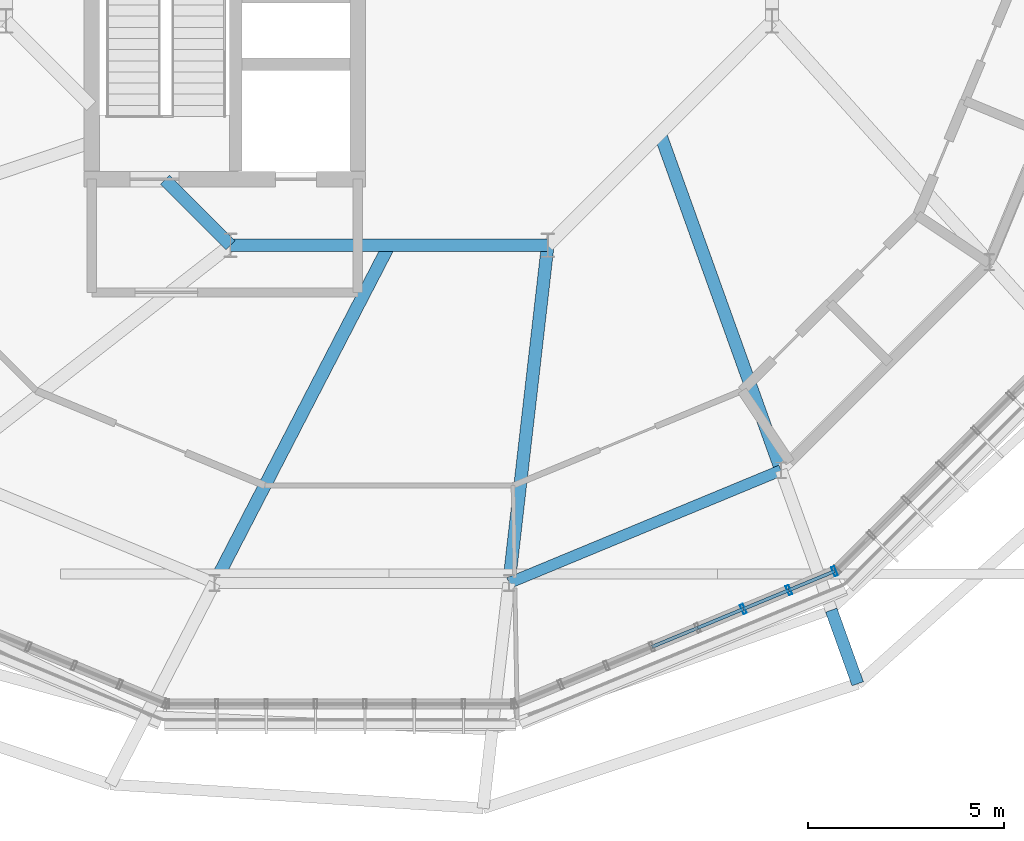
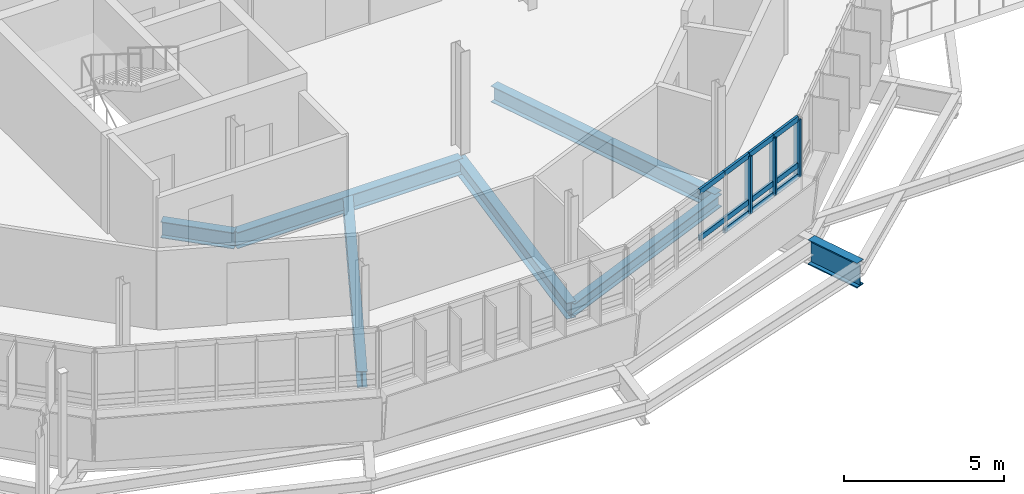
# One storey, part 17 of 61: 14 members, 7 beams, 1 element without a shape of its own.
"""IFC4 building model written with IfcOpenShell, lengths in metres."""

import ifcopenshell
import ifcopenshell.guid

model = None  # the IFC model being written
_history = None  # IfcOwnerHistory: only IFC2X3 demands one
_inside = {}  # id of a spatial element -> (the spatial element, [elements in it])
_under = {}  # id of a project, library or spatial element -> (it, [spatial elements below it])
_declared = {}  # id of a project -> (the project, [libraries it declares])
_typed = {}  # id of a type object -> (the type object, [elements of that type])
_made_of = {}  # id of a material, layer set ... -> (it, [elements and type objects made of it])


def new_model(schema):
    """Start an empty IFC model of exactly this schema.

    Asked for "IFC4X3", IfcOpenShell would pick the latest addendum, in which some entities
    have other attributes; the version numbers below select the first issue.
    IFC2X3 requires an IfcOwnerHistory on every rooted entity: one is made here for all.
    """
    global model, _history
    if schema == "IFC4X3":
        model = ifcopenshell.file(schema_version=(4, 3, 0, 0))
    else:
        model = ifcopenshell.file(schema=schema)
    _inside.clear()
    _under.clear()
    _declared.clear()
    _typed.clear()
    _made_of.clear()
    _history = None
    if model.schema == "IFC2X3":
        org = make("IfcOrganization", Name="unknown")
        user = make(
            "IfcPersonAndOrganization",
            ThePerson=make("IfcPerson", FamilyName="unknown"),
            TheOrganization=org,
        )
        app = make(
            "IfcApplication",
            ApplicationDeveloper=org,
            Version="unknown",
            ApplicationFullName="unknown",
            ApplicationIdentifier="unknown",
        )
        _history = make(
            "IfcOwnerHistory",
            OwningUser=user,
            OwningApplication=app,
            ChangeAction="ADDED",
            CreationDate=0,
        )
    return model


def make(cls, **values):
    """One entity of the class cls with the attributes given. An attribute that is None is left unset."""
    return model.create_entity(
        cls, **{name: value for name, value in values.items() if value is not None}
    )


def rooted(cls, **values):
    """An entity with a GlobalId (a new one), such as an element, a storey or a relation."""
    return make(cls, GlobalId=ifcopenshell.guid.new(), OwnerHistory=_history, **values)


def si_unit(unit_type, name, prefix=None):
    """IfcSIUnit, for example si_unit("LENGTHUNIT", "METRE", prefix="MILLI")."""
    return make("IfcSIUnit", UnitType=unit_type, Prefix=prefix, Name=name)


def derived_unit(unit_type, elements):
    """IfcDerivedUnit: a product of units, each with its exponent."""
    return make(
        "IfcDerivedUnit",
        Elements=[
            make("IfcDerivedUnitElement", Unit=unit, Exponent=power)
            for unit, power in elements
        ],
        UnitType=unit_type,
    )


def assignment(units):
    """IfcUnitAssignment: the units of a project."""
    return None if units is None else make("IfcUnitAssignment", Units=units)


def point(xyz):
    """IfcCartesianPoint."""
    return None if xyz is None else make("IfcCartesianPoint", Coordinates=xyz)


def direction(xyz):
    """IfcDirection."""
    return None if xyz is None else make("IfcDirection", DirectionRatios=xyz)


def frame(location, z_axis=None, x_axis=None):
    """IfcAxis2Placement3D, a coordinate frame: its origin and axes. An axis left out is left unset."""
    return make(
        "IfcAxis2Placement3D",
        Location=point(location),
        Axis=direction(z_axis),
        RefDirection=direction(x_axis),
    )


def frame_2d(location, x_axis=None):
    """IfcAxis2Placement2D, a coordinate frame in the plane: its origin and x axis."""
    return make(
        "IfcAxis2Placement2D", Location=point(location), RefDirection=direction(x_axis)
    )


def origin():
    """The frame at (0, 0, 0) with its axes left unset."""
    return frame((0.0, 0.0, 0.0))


def origin_2d():
    """The frame at (0, 0) in the plane with its x axis left unset."""
    return frame_2d((0.0, 0.0))


def place(relative_to, where):
    """IfcLocalPlacement: puts the frame where relative to a parent placement (None: the world)."""
    return make(
        "IfcLocalPlacement", PlacementRelTo=relative_to, RelativePlacement=where
    )


def context(
    kind, dimensions, precision=None, world=None, true_north=None, identifier=None
):
    """IfcGeometricRepresentationContext, for example the 3D "Model" context."""
    return make(
        "IfcGeometricRepresentationContext",
        ContextIdentifier=identifier,
        ContextType=kind,
        CoordinateSpaceDimension=dimensions,
        Precision=precision,
        WorldCoordinateSystem=world,
        TrueNorth=true_north,
    )


def subcontext(parent, identifier, kind, view, scale=None):
    """IfcGeometricRepresentationSubContext, for example "Body" below "Model"."""
    return make(
        "IfcGeometricRepresentationSubContext",
        ContextIdentifier=identifier,
        ContextType=kind,
        ParentContext=parent,
        TargetScale=scale,
        TargetView=view,
    )


def project(units=None, contexts=None):
    """IfcProject with its units and contexts."""
    return rooted(
        "IfcProject",
        Name="project",
        RepresentationContexts=contexts,
        UnitsInContext=assignment(units),
    )


def spatial(cls, under=None, at=None, **own):
    """A site, building, storey or space (cls), placed at a placement, below another one or the project."""
    s = rooted(cls, ObjectPlacement=at, **own)
    if under is not None:
        _under.setdefault(under.id(), (under, []))[1].append(s)
    return s


def profile(cls, at=None, kind="AREA", **sizes):
    """A parametric profile (cls). Its sizes go by their IFC names, for example OverallWidth=200.0."""
    return make(cls, ProfileType=kind, Position=at, **sizes)


def hollow_rectangle(**sizes):
    """IfcRectangleHollowProfileDef."""
    return profile("IfcRectangleHollowProfileDef", **sizes)


def i_section(**sizes):
    """IfcIShapeProfileDef."""
    return profile("IfcIShapeProfileDef", **sizes)


def extrude(swept, where, along, depth):
    """IfcExtrudedAreaSolid: the profile swept, set in the frame where, extruded along a direction by depth."""
    return make(
        "IfcExtrudedAreaSolid",
        SweptArea=swept,
        Position=where,
        ExtrudedDirection=direction(along),
        Depth=depth,
    )


def shape(context_of_items, identifier, shape_type, items):
    """IfcShapeRepresentation: the items that make up one representation, for example the "Body"."""
    return make(
        "IfcShapeRepresentation",
        ContextOfItems=context_of_items,
        RepresentationIdentifier=identifier,
        RepresentationType=shape_type,
        Items=items,
    )


def material(Name=None, Category=None):
    """IfcMaterial."""
    return make("IfcMaterial", Name=Name, Category=Category)


def layer(
    of_material, thickness, ventilated=None, Name=None, Category=None, Priority=None
):
    """IfcMaterialLayer: one layer of a wall or slab, of a material (None: an air gap)."""
    return make(
        "IfcMaterialLayer",
        Material=of_material,
        LayerThickness=thickness,
        IsVentilated=ventilated,
        Name=Name,
        Category=Category,
        Priority=Priority,
    )


def layer_set(layers, Name=None):
    """IfcMaterialLayerSet."""
    return make("IfcMaterialLayerSet", MaterialLayers=layers, LayerSetName=Name)


def material_profile(
    of_material, cross_section, Name=None, Category=None, Priority=None
):
    """IfcMaterialProfile: a cross section and its material."""
    return make(
        "IfcMaterialProfile",
        Name=Name,
        Material=of_material,
        Profile=cross_section,
        Priority=Priority,
        Category=Category,
    )


def profile_set(profiles, Name=None, composite=None):
    """IfcMaterialProfileSet."""
    return make(
        "IfcMaterialProfileSet",
        Name=Name,
        MaterialProfiles=profiles,
        CompositeProfile=composite,
    )


def made_of(thing, what):
    """Note that an element or type object is made of a material, layer set ...; save() writes the relation."""
    if what is not None:
        _made_of.setdefault(what.id(), (what, []))[1].append(thing)
    return thing


def type_object(cls, material=None, **own):
    """A type object (cls), such as IfcWallType, which elements share."""
    return made_of(rooted(cls, **own), material)


def element(
    cls,
    number,
    at=None,
    inside=None,
    cuts=None,
    type_object=None,
    material=None,
    context=None,
    identifier="Body",
    shape_type=None,
    held_by="IfcProductDefinitionShape",
    body=None,
    shapes=None,
    **own,
):
    """One element of the class cls, such as IfcWall. Its Tag is "e" and its number.

    at: its placement. inside: the storey or other place that contains it. cuts: it is an
    opening in that element (IfcRelVoidsElement). A single representation is given by context,
    identifier, shape_type and body (its items); several are given by shapes. held_by: the class
    of the entity that holds the representations. save() writes the other relations.
    """
    e = rooted(cls, Tag="e%d" % number, ObjectPlacement=at, **own)
    if body is not None:
        shapes = [shape(context, identifier, shape_type, body)]
    if shapes is not None:
        e.Representation = make(held_by, Representations=shapes)
    if inside is not None:
        _inside.setdefault(inside.id(), (inside, []))[1].append(e)
    if cuts is not None:
        rooted(
            "IfcRelVoidsElement", RelatingBuildingElement=cuts, RelatedOpeningElement=e
        )
    if type_object is not None:
        _typed.setdefault(type_object.id(), (type_object, []))[1].append(e)
    return made_of(e, material)


def aggregate(whole, parts):
    """IfcRelAggregates: a whole, such as a stair, and the parts it consists of."""
    return rooted("IfcRelAggregates", RelatingObject=whole, RelatedObjects=parts)


def save(model, path):
    """Write the relations noted so far, then the file.

    IfcRelAggregates (storeys below a building ...), IfcRelContainedInSpatialStructure (elements
    in a storey), IfcRelDefinesByType, IfcRelAssociatesMaterial and IfcRelDeclares: one each for
    every whole, place, type object, material and project.
    """
    for whole, parts in _under.values():
        aggregate(whole, parts)
    for where, things in _inside.values():
        rooted(
            "IfcRelContainedInSpatialStructure",
            RelatedElements=things,
            RelatingStructure=where,
        )
    for kind, things in _typed.values():
        rooted("IfcRelDefinesByType", RelatedObjects=things, RelatingType=kind)
    for what, things in _made_of.values():
        rooted("IfcRelAssociatesMaterial", RelatedObjects=things, RelatingMaterial=what)
    for by, libraries in _declared.values():
        rooted("IfcRelDeclares", RelatingContext=by, RelatedDefinitions=libraries)
    model.write(path)


model = new_model("IFC4")

# Units and contexts
model_context = context("Model", 3, precision=1e-05, world=origin(), true_north=direction((0.0, 1.0)))
body_context = subcontext(model_context, "Body", "Model", "MODEL_VIEW")
ifc_project = project(units=[si_unit("LENGTHUNIT", "METRE"), si_unit("AREAUNIT", "SQUARE_METRE"), si_unit("VOLUMEUNIT", "CUBIC_METRE"), si_unit("PLANEANGLEUNIT", "RADIAN"), si_unit("MASSUNIT", "GRAM", prefix="KILO"), derived_unit("THERMALTRANSMITTANCEUNIT", [(si_unit("MASSUNIT", "GRAM", prefix="KILO"), 1), (si_unit("TIMEUNIT", "SECOND"), -3), (si_unit("THERMODYNAMICTEMPERATUREUNIT", "KELVIN"), -1)])], contexts=[model_context])

# Site, building, storey
site_placement = place(None, origin())
site = spatial("IfcSite", under=ifc_project, at=site_placement, CompositionType="ELEMENT")
building_placement = place(site_placement, origin())
building = spatial("IfcBuilding", under=site, at=building_placement, Name="Makaiwela Harbour Ferry Terminal", CompositionType="ELEMENT")
storey_placement = place(building_placement, frame((0.0, 0.0, 13.800048828125)))
storey = spatial("IfcBuildingStorey", under=building, at=storey_placement, Name="L03", CompositionType="ELEMENT", Elevation=13.800048828125)

# Curtain wall, members
ifc_material_1 = material(Name="Marine anodised aluminium 6063-T6", Category="aluminium")
ifc_layer = layer(ifc_material_1, 0.199951171875)
ifc_layer_set = layer_set([ifc_layer], Name="Marine anodised aluminium 6063-T6")
curtain_wall_type = type_object("IfcCurtainWallType", Name="ENV-CW-05", PredefinedType="USERDEFINED", material=ifc_layer_set)
curtain_wall_placement = place(storey_placement, origin())
curtain_wall = element("IfcCurtainWall", 1, at=curtain_wall_placement, inside=storey, type_object=curtain_wall_type, Name="Unitised Curtain Wall CWA-040", ObjectType="UNITIZED CURTAIN WALL", PredefinedType="USERDEFINED")
ifc_material_profile_1 = material_profile(ifc_material_1, hollow_rectangle(XDim=0.0849609375, YDim=0.25, WallThickness=0.0048828125, at=origin_2d()), Name="CWM-250X85")
ifc_profile_set_1 = profile_set([ifc_material_profile_1], Name="Marine anodised aluminium 6063-T6")
member_type_1 = type_object("IfcMemberType", Name="CW-MUL-250", PredefinedType="MULLION", material=ifc_profile_set_1)
member_1_placement = place(storey_placement, frame((46.85693359375, 48.5048828125, 1.47998046875), z_axis=(0.0, 0.0, 1.0), x_axis=(0.923879532511, 0.382683432365, 0.0)))
member_1 = element("IfcMember", 2, at=member_1_placement, type_object=member_type_1, Name="Curtain Wall Mullion CWA-040-6", PredefinedType="MULLION", context=body_context, shape_type="SweptSolid", body=[
    extrude(hollow_rectangle(XDim=0.0849609375, YDim=0.25, WallThickness=0.0048828125, at=origin_2d()), origin(), (0.0, 0.0, 1.0), 2.179931640625),
])
member_2_placement = place(storey_placement, frame((48.023193359375, 48.98779296875, 1.47998046875), z_axis=(0.0, 0.0, 1.0), x_axis=(0.923879532511, 0.382683432365, 0.0)))
member_2 = element("IfcMember", 3, at=member_2_placement, type_object=member_type_1, Name="Curtain Wall Mullion CWA-040-7", PredefinedType="MULLION", context=body_context, shape_type="SweptSolid", body=[
    extrude(hollow_rectangle(XDim=0.0849609375, YDim=0.25, WallThickness=0.0048828125, at=origin_2d()), origin(), (0.0, 0.0, 1.0), 2.179931640625),
])
member_3_placement = place(storey_placement, frame((49.189208984375, 49.470947265625, 1.47998046875), z_axis=(0.0, 0.0, 1.0), x_axis=(0.923879532511, 0.382683432365, 0.0)))
member_3 = element("IfcMember", 4, at=member_3_placement, type_object=member_type_1, Name="Curtain Wall Mullion CWA-040-8", PredefinedType="MULLION", context=body_context, shape_type="SweptSolid", body=[
    extrude(hollow_rectangle(XDim=0.0849609375, YDim=0.25, WallThickness=0.0048828125, at=origin_2d()), origin(), (0.0, 0.0, 1.0), 2.179931640625),
])
ifc_material_profile_2 = material_profile(ifc_material_1, hollow_rectangle(XDim=0.0849609375, YDim=0.199951171875, WallThickness=0.0048828125, at=origin_2d()), Name="CWT-200X85")
ifc_profile_set_2 = profile_set([ifc_material_profile_2], Name="Marine anodised aluminium 6063-T6")
member_type_2 = type_object("IfcMemberType", Name="CW-TRN-200", PredefinedType="USERDEFINED", material=ifc_profile_set_2)
member_4_placement = place(storey_placement, frame((44.5244140625, 47.538818359375, 1.89990234375), z_axis=(0.923927268309, 0.382568167619, 0.0), x_axis=(-0.382568167619, 0.923927268309, 0.0)))
member_4 = element("IfcMember", 5, at=member_4_placement, type_object=member_type_2, Name="Curtain Wall Transom CWA-040-4-2", ObjectType="TRANSOM", PredefinedType="USERDEFINED", context=body_context, shape_type="SweptSolid", body=[
    extrude(hollow_rectangle(XDim=0.0849609375, YDim=0.199951171875, WallThickness=0.0048828125, at=origin_2d()), origin(), (0.0, 0.0, 1.0), 1.26220703125),
])
member_5_placement = place(storey_placement, frame((44.5244140625, 47.538818359375, 3.659912109375), z_axis=(0.923927268309, 0.382568167619, 0.0), x_axis=(-0.382568167619, 0.923927268309, 0.0)))
member_5 = element("IfcMember", 6, at=member_5_placement, type_object=member_type_2, Name="Curtain Wall Transom CWA-040-4-3", ObjectType="TRANSOM", PredefinedType="USERDEFINED", context=body_context, shape_type="SweptSolid", body=[
    extrude(hollow_rectangle(XDim=0.0849609375, YDim=0.199951171875, WallThickness=0.0048828125, at=origin_2d()), origin(), (0.0, 0.0, 1.0), 1.26220703125),
])
member_6_placement = place(storey_placement, frame((45.690673828125, 48.021728515625, 1.47998046875), z_axis=(0.923858894352, 0.38273325349, 0.0), x_axis=(-0.38273325349, 0.923858894352, 0.0)))
member_6 = element("IfcMember", 7, at=member_6_placement, type_object=member_type_2, Name="Curtain Wall Transom CWA-040-5-1", ObjectType="TRANSOM", PredefinedType="USERDEFINED", context=body_context, shape_type="SweptSolid", body=[
    extrude(hollow_rectangle(XDim=0.0849609375, YDim=0.199951171875, WallThickness=0.0048828125, at=origin_2d()), origin(), (0.0, 0.0, 1.0), 1.262451171875),
])
member_7_placement = place(storey_placement, frame((45.690673828125, 48.021728515625, 1.89990234375), z_axis=(0.923858894352, 0.38273325349, 0.0), x_axis=(-0.38273325349, 0.923858894352, 0.0)))
member_7 = element("IfcMember", 8, at=member_7_placement, type_object=member_type_2, Name="Curtain Wall Transom CWA-040-5-2", ObjectType="TRANSOM", PredefinedType="USERDEFINED", context=body_context, shape_type="SweptSolid", body=[
    extrude(hollow_rectangle(XDim=0.0849609375, YDim=0.199951171875, WallThickness=0.0048828125, at=origin_2d()), origin(), (0.0, 0.0, 1.0), 1.262451171875),
])
member_8_placement = place(storey_placement, frame((45.690673828125, 48.021728515625, 3.659912109375), z_axis=(0.923858894352, 0.38273325349, 0.0), x_axis=(-0.38273325349, 0.923858894352, 0.0)))
member_8 = element("IfcMember", 9, at=member_8_placement, type_object=member_type_2, Name="Curtain Wall Transom CWA-040-5-3", ObjectType="TRANSOM", PredefinedType="USERDEFINED", context=body_context, shape_type="SweptSolid", body=[
    extrude(hollow_rectangle(XDim=0.0849609375, YDim=0.199951171875, WallThickness=0.0048828125, at=origin_2d()), origin(), (0.0, 0.0, 1.0), 1.262451171875),
])
member_9_placement = place(storey_placement, frame((46.85693359375, 48.5048828125, 1.47998046875), z_axis=(0.923927268309, 0.382568167619, 0.0), x_axis=(-0.382568167619, 0.923927268309, 0.0)))
member_9 = element("IfcMember", 10, at=member_9_placement, type_object=member_type_2, Name="Curtain Wall Transom CWA-040-6-1", ObjectType="TRANSOM", PredefinedType="USERDEFINED", context=body_context, shape_type="SweptSolid", body=[
    extrude(hollow_rectangle(XDim=0.0849609375, YDim=0.199951171875, WallThickness=0.0048828125, at=origin_2d()), origin(), (0.0, 0.0, 1.0), 1.26220703125),
])
member_10_placement = place(storey_placement, frame((46.85693359375, 48.5048828125, 1.89990234375), z_axis=(0.923927268309, 0.382568167619, 0.0), x_axis=(-0.382568167619, 0.923927268309, 0.0)))
member_10 = element("IfcMember", 11, at=member_10_placement, type_object=member_type_2, Name="Curtain Wall Transom CWA-040-6-2", ObjectType="TRANSOM", PredefinedType="USERDEFINED", context=body_context, shape_type="SweptSolid", body=[
    extrude(hollow_rectangle(XDim=0.0849609375, YDim=0.199951171875, WallThickness=0.0048828125, at=origin_2d()), origin(), (0.0, 0.0, 1.0), 1.26220703125),
])
member_11_placement = place(storey_placement, frame((46.85693359375, 48.5048828125, 3.659912109375), z_axis=(0.923927268309, 0.382568167619, 0.0), x_axis=(-0.382568167619, 0.923927268309, 0.0)))
member_11 = element("IfcMember", 12, at=member_11_placement, type_object=member_type_2, Name="Curtain Wall Transom CWA-040-6-3", ObjectType="TRANSOM", PredefinedType="USERDEFINED", context=body_context, shape_type="SweptSolid", body=[
    extrude(hollow_rectangle(XDim=0.0849609375, YDim=0.199951171875, WallThickness=0.0048828125, at=origin_2d()), origin(), (0.0, 0.0, 1.0), 1.26220703125),
])
member_12_placement = place(storey_placement, frame((48.023193359375, 48.98779296875, 1.47998046875), z_axis=(0.923830557004, 0.382801648306, 0.0), x_axis=(-0.382801648306, 0.923830557004, 0.0)))
member_12 = element("IfcMember", 13, at=member_12_placement, type_object=member_type_2, Name="Curtain Wall Transom CWA-040-7-1", ObjectType="TRANSOM", PredefinedType="USERDEFINED", context=body_context, shape_type="SweptSolid", body=[
    extrude(hollow_rectangle(XDim=0.0849609375, YDim=0.199951171875, WallThickness=0.0048828125, at=origin_2d()), origin(), (0.0, 0.0, 1.0), 1.26220703125),
])
member_13_placement = place(storey_placement, frame((48.023193359375, 48.98779296875, 1.89990234375), z_axis=(0.923830557004, 0.382801648306, 0.0), x_axis=(-0.382801648306, 0.923830557004, 0.0)))
member_13 = element("IfcMember", 14, at=member_13_placement, type_object=member_type_2, Name="Curtain Wall Transom CWA-040-7-2", ObjectType="TRANSOM", PredefinedType="USERDEFINED", context=body_context, shape_type="SweptSolid", body=[
    extrude(hollow_rectangle(XDim=0.0849609375, YDim=0.199951171875, WallThickness=0.0048828125, at=origin_2d()), origin(), (0.0, 0.0, 1.0), 1.26220703125),
])
member_14_placement = place(storey_placement, frame((48.023193359375, 48.98779296875, 3.659912109375), z_axis=(0.923830557004, 0.382801648306, 0.0), x_axis=(-0.382801648306, 0.923830557004, 0.0)))
member_14 = element("IfcMember", 15, at=member_14_placement, type_object=member_type_2, Name="Curtain Wall Transom CWA-040-7-3", ObjectType="TRANSOM", PredefinedType="USERDEFINED", context=body_context, shape_type="SweptSolid", body=[
    extrude(hollow_rectangle(XDim=0.0849609375, YDim=0.199951171875, WallThickness=0.0048828125, at=origin_2d()), origin(), (0.0, 0.0, 1.0), 1.26220703125),
])
aggregate(curtain_wall, [member_1, member_2, member_3, member_4, member_5, member_6, member_7, member_8, member_9, member_10, member_11, member_12, member_13, member_14])

# Beams
ifc_material_2 = material(Name="Steel ASTM A992 Grade 50", Category="steel")
ifc_material_profile_3 = material_profile(ifc_material_2, i_section(OverallWidth=0.324951171875, OverallDepth=0.615966796875, WebThickness=0.013916015625, FlangeThickness=0.021484375, at=origin_2d()), Name="W24X117")
ifc_profile_set_3 = profile_set([ifc_material_profile_3], Name="Steel ASTM A992 Grade 50")
beam_type_1 = type_object("IfcBeamType", Name="STR-GRD-W24X117", PredefinedType="USERDEFINED", material=ifc_profile_set_3)
beam_1_placement = place(storey_placement, frame((32.070556640625, 59.47998046875, -0.56298828125), z_axis=(0.707106781187, -0.707106781187, 0.0), x_axis=(0.707106781187, 0.707106781187, 0.0)))
element("IfcBeam", 16, at=beam_1_placement, inside=storey, type_object=beam_type_1, Name="Drum inner ring girder 251", ObjectType="GIRDER", PredefinedType="USERDEFINED", context=body_context, shape_type="SweptSolid", body=[
    extrude(i_section(OverallWidth=0.324951171875, OverallDepth=0.615966796875, WebThickness=0.013916015625, FlangeThickness=0.021484375, at=origin_2d()), origin(), (0.0, 0.0, 1.0), 2.3662109375),
])
beam_2_placement = place(storey_placement, frame((33.74365234375, 57.806884765625, -0.56298828125), z_axis=(1.0, 0.0, 0.0), x_axis=(0.0, 1.0, 0.0)))
element("IfcBeam", 17, at=beam_2_placement, inside=storey, type_object=beam_type_1, Name="Drum inner ring girder 252", ObjectType="GIRDER", PredefinedType="USERDEFINED", context=body_context, shape_type="SweptSolid", body=[
    extrude(i_section(OverallWidth=0.324951171875, OverallDepth=0.615966796875, WebThickness=0.013916015625, FlangeThickness=0.021484375, at=origin_2d()), origin(), (0.0, 0.0, 1.0), 8.11279296875),
])
beam_3_placement = place(storey_placement, frame((37.800048828125, 57.806884765625, -0.56298828125), z_axis=(-0.459296530257, -0.888283005181, 0.0), x_axis=(0.888283005181, -0.459296530257, 0.0)))
element("IfcBeam", 18, at=beam_3_placement, inside=storey, type_object=beam_type_1, Name="Drum radial girder 313", ObjectType="GIRDER", PredefinedType="USERDEFINED", context=body_context, shape_type="SweptSolid", body=[
    extrude(i_section(OverallWidth=0.324951171875, OverallDepth=0.615966796875, WebThickness=0.013916015625, FlangeThickness=0.021484375, at=origin_2d()), origin(), (0.0, 0.0, 1.0), 9.72216796875),
])
beam_4_placement = place(storey_placement, frame((41.8564453125, 57.806884765625, -0.56298828125), z_axis=(-0.11402817728, -0.993477515994, 0.0), x_axis=(0.993477515994, -0.11402817728, 0.0)))
element("IfcBeam", 19, at=beam_4_placement, inside=storey, type_object=beam_type_1, Name="Drum radial girder 316", ObjectType="GIRDER", PredefinedType="USERDEFINED", context=body_context, shape_type="SweptSolid", body=[
    extrude(i_section(OverallWidth=0.324951171875, OverallDepth=0.615966796875, WebThickness=0.013916015625, FlangeThickness=0.021484375, at=origin_2d()), origin(), (0.0, 0.0, 1.0), 8.692626953125),
])
beam_5_placement = place(storey_placement, frame((44.724853515625, 60.67529296875, -0.56298828125), z_axis=(0.338086262621, -0.941115125278, 0.0), x_axis=(0.941115125278, 0.338086262621, 0.0)))
element("IfcBeam", 20, at=beam_5_placement, inside=storey, type_object=beam_type_1, Name="Drum radial girder 319", ObjectType="GIRDER", PredefinedType="USERDEFINED", context=body_context, shape_type="SweptSolid", body=[
    extrude(i_section(OverallWidth=0.324951171875, OverallDepth=0.615966796875, WebThickness=0.013916015625, FlangeThickness=0.021484375, at=origin_2d()), origin(), (0.0, 0.0, 1.0), 9.162353515625),
])
ifc_material_profile_4 = material_profile(ifc_material_2, i_section(OverallWidth=0.31005859375, OverallDepth=0.949951171875, WebThickness=0.0244140625, FlangeThickness=0.0439453125, at=origin_2d()), Name="W36X256")
ifc_profile_set_4 = profile_set([ifc_material_profile_4], Name="Steel ASTM A992 Grade 50")
beam_type_2 = type_object("IfcBeamType", Name="STR-GRD-W36X256", PredefinedType="USERDEFINED", material=ifc_profile_set_4)
beam_6_placement = place(storey_placement, frame((49.107421875, 48.476318359375, -0.72998046875), z_axis=(0.338044990748, -0.941129950767, 0.0), x_axis=(0.941129950767, 0.338044990748, 0.0)))
element("IfcBeam", 21, at=beam_6_placement, inside=storey, type_object=beam_type_2, Name="Drum overhang radial girder 321", ObjectType="GIRDER", PredefinedType="USERDEFINED", context=body_context, shape_type="SweptSolid", body=[
    extrude(i_section(OverallWidth=0.31005859375, OverallDepth=0.949951171875, WebThickness=0.0244140625, FlangeThickness=0.0439453125, at=origin_2d()), origin(), (0.0, 0.0, 1.0), 1.999755859375),
])
ifc_material_profile_5 = material_profile(ifc_material_2, i_section(OverallWidth=0.283935546875, OverallDepth=0.47607421875, WebThickness=0.014892578125, FlangeThickness=0.02392578125, at=origin_2d()), Name="W18X106")
ifc_profile_set_5 = profile_set([ifc_material_profile_5], Name="Steel ASTM A992 Grade 50")
beam_type_3 = type_object("IfcBeamType", Name="STR-SPN-W18X106", PredefinedType="SPANDREL", material=ifc_profile_set_5)
beam_7_placement = place(storey_placement, frame((40.865234375, 49.1708984375, -0.4931640625), z_axis=(0.92388920519, 0.382660079618, 0.0), x_axis=(-0.382660079618, 0.92388920519, 0.0)))
element("IfcBeam", 22, at=beam_7_placement, inside=storey, type_object=beam_type_3, Name="Drum column ring girder 267", PredefinedType="SPANDREL", context=body_context, shape_type="SweptSolid", body=[
    extrude(i_section(OverallWidth=0.283935546875, OverallDepth=0.47607421875, WebThickness=0.014892578125, FlangeThickness=0.02392578125, at=origin_2d()), origin(), (0.0, 0.0, 1.0), 7.530517578125),
])

save(model, "model.ifc")
